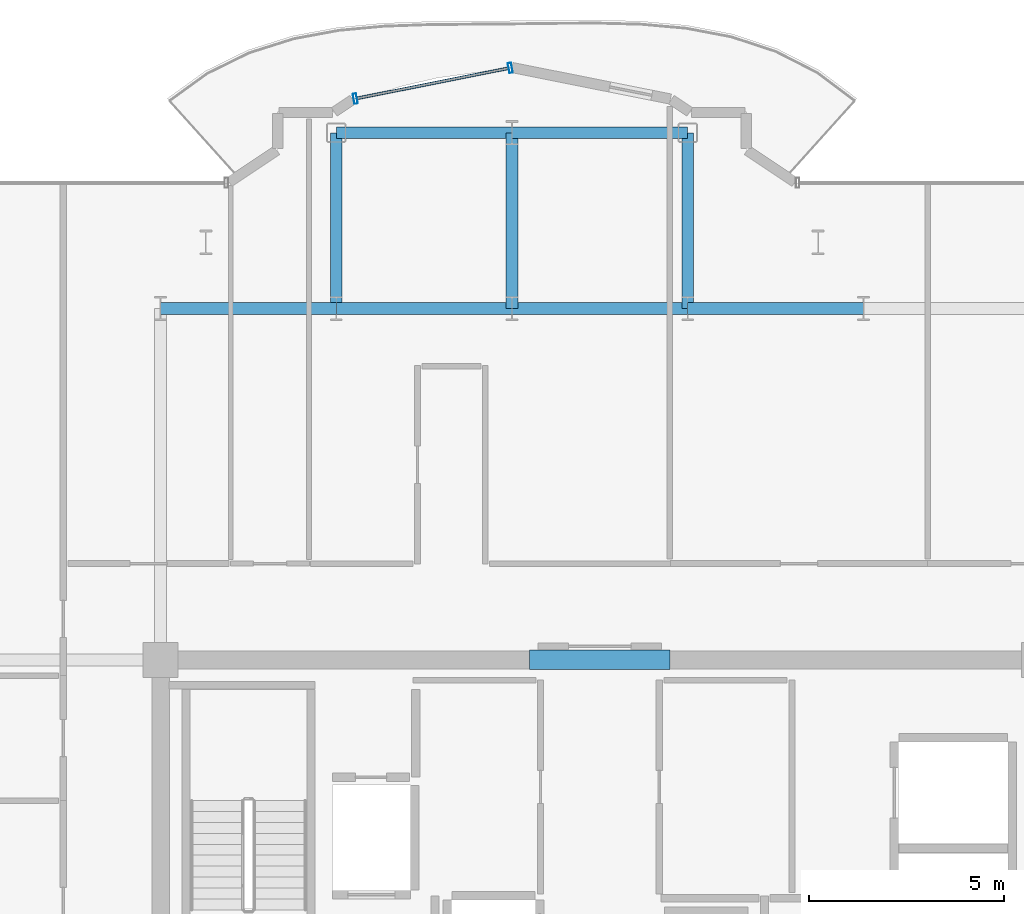
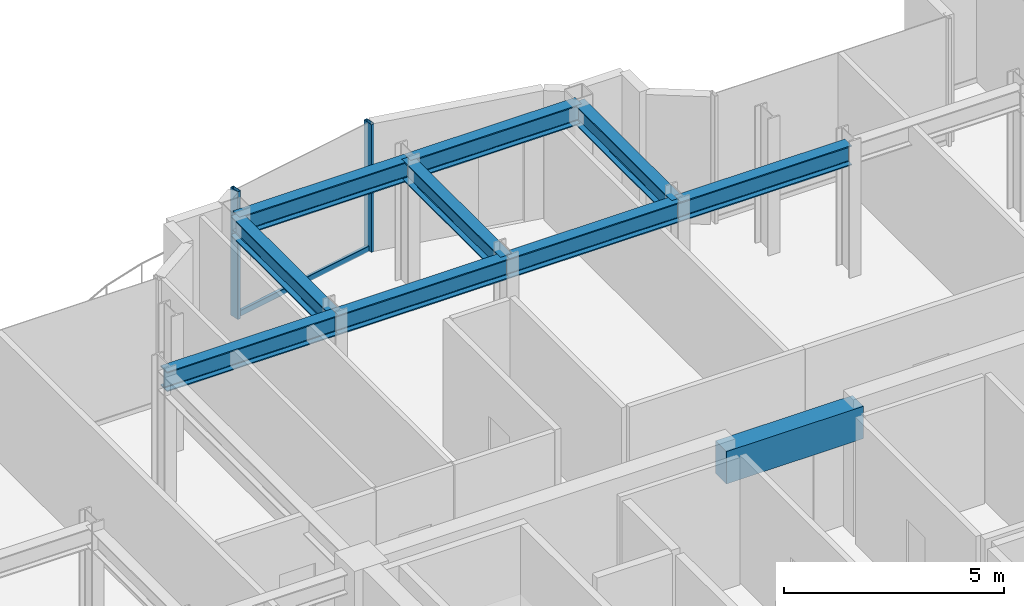
# One storey, part 10 of 18: 10 beams, 3 members, 1 element without a shape of its own.
"""IFC4 building model written with IfcOpenShell, lengths in metres."""

from ifc_helpers import new_model, si_unit, direction, frame, origin, origin_2d, place, context, subcontext, project, spatial, rectangle, hollow_rectangle, i_section, extrude, source, transform, mapped, material, layer, layer_set, material_profile, profile_set, type_object, element, aggregate, save


model = new_model("IFC4")

# Units and contexts
model_context = context("Model", 3, precision=1e-05, world=origin(), true_north=direction((0.0, 1.0)))
body_context = subcontext(model_context, "Body", "Model", "MODEL_VIEW")
ifc_project = project(units=[si_unit("LENGTHUNIT", "METRE"), si_unit("AREAUNIT", "SQUARE_METRE"), si_unit("VOLUMEUNIT", "CUBIC_METRE"), si_unit("PLANEANGLEUNIT", "RADIAN"), si_unit("MASSUNIT", "GRAM", prefix="KILO")], contexts=[model_context])

# Site, building, storey
site_placement = place(None, origin())
site = spatial("IfcSite", under=ifc_project, at=site_placement, CompositionType="ELEMENT")
building_placement = place(site_placement, origin())
building = spatial("IfcBuilding", under=site, at=building_placement, Name="Nefas-Gora Pilgrimage Tower", CompositionType="ELEMENT")
storey_placement = place(building_placement, frame((0.0, 0.0, 306.39990234375)))
storey = spatial("IfcBuildingStorey", under=building, at=storey_placement, Name="L77", CompositionType="ELEMENT", Elevation=306.39990234375)

# Beams
ifc_material_1 = material(Name="Concrete C50/60", Category="concrete")
ifc_material_profile_1 = material_profile(ifc_material_1, rectangle(XDim=0.5, YDim=0.89990234375, at=origin_2d()), Name="RC 500x900")
ifc_profile_set_1 = profile_set([ifc_material_profile_1], Name="Concrete C50/60")
beam_type_1 = type_object("IfcBeamType", Name="BM-LIN-RC900", PredefinedType="LINTEL", material=ifc_profile_set_1)
shared_shape_1 = source(origin(), body_context, "Body", "SweptSolid", [
    extrude(rectangle(XDim=0.5, YDim=0.89990234375, at=origin_2d()), origin(), (0.0, 0.0, 1.0), 3.60009765625),
])
beam_placement = place(storey_placement, frame((-1.800048828125, 9.0, 3.10009765625), z_axis=(1.0, 0.0, 0.0), x_axis=(0.0, 1.0, 0.0)))
element("IfcBeam", 1, at=beam_placement, inside=storey, type_object=beam_type_1, Name="L77 Core Coupling Lintel Beam N", PredefinedType="LINTEL", context=body_context, shape_type="MappedRepresentation", body=[
    mapped(shared_shape_1, transform((0.0, 0.0, 0.0), x_axis=(1.0, 0.0, 0.0), y_axis=(0.0, 1.0, 0.0), z_axis=(0.0, 0.0, 1.0), scale=1.0)),
])
ifc_material_2 = material(Name="Steel S355", Category="steel")
ifc_material_profile_2 = material_profile(ifc_material_2, i_section(OverallWidth=0.300048828125, OverallDepth=0.550048828125, WebThickness=0.014892578125, FlangeThickness=0.029052734375, FilletRadius=0.027099609375, at=origin_2d()), Name="HEB 550")
ifc_profile_set_2 = profile_set([ifc_material_profile_2], Name="Steel S355")
beam_type_2 = type_object("IfcBeamType", Name="BM-GIR-HEB550", PredefinedType="BEAM", material=ifc_profile_set_2)
shared_shape_2 = source(origin(), body_context, "Body", "SweptSolid", [
    extrude(i_section(OverallWidth=0.300048828125, OverallDepth=0.550048828125, WebThickness=0.014892578125, FlangeThickness=0.029052734375, FilletRadius=0.027099609375, at=origin_2d()), origin(), (0.0, 0.0, 1.0), 4.5),
])
for number, where, z_axis, x_axis, name in (
    (2, (-11.25, 18.0, 3.275146484375), (1.0, 0.0, 0.0), (0.0, 1.0, 0.0), "L77 G-05 beam"),
    (3, (-6.75, 18.0, 3.275146484375), (0.0, 1.0, 0.0), (-1.0, 0.0, 0.0), "L77 G-05 beam"),
    (4, (-6.75, 18.0, 3.275146484375), (1.0, 0.0, 0.0), (0.0, 1.0, 0.0), "L77 G-05 beam"),
    (5, (-6.75, 22.5, 3.275146484375), (1.0, 0.0, 0.0), (0.0, 1.0, 0.0), "L77 G-05 beam"),
    (6, (-2.25, 18.0, 3.275146484375), (0.0, 1.0, 0.0), (-1.0, 0.0, 0.0), "L77 G-05 beam"),
    (7, (-2.25, 18.0, 3.275146484375), (1.0, 0.0, 0.0), (0.0, 1.0, 0.0), "L77 G-05 beam"),
    (8, (-2.25, 22.5, 3.275146484375), (1.0, 0.0, 0.0), (0.0, 1.0, 0.0), "L77 G-05 beam"),
    (9, (2.25, 18.0, 3.275146484375), (0.0, 1.0, 0.0), (-1.0, 0.0, 0.0), "L77 G-05 beam"),
    (10, (2.25, 18.0, 3.275146484375), (1.0, 0.0, 0.0), (0.0, 1.0, 0.0), "L77 G-05 beam"),
):
    element("IfcBeam", number, at=place(storey_placement, frame(where, z_axis=z_axis, x_axis=x_axis)), inside=storey, type_object=beam_type_2, Name=name, PredefinedType="BEAM", context=body_context, shape_type="MappedRepresentation", body=[
        mapped(shared_shape_2, transform((0.0, 0.0, 0.0), x_axis=(1.0, 0.0, 0.0), y_axis=(0.0, 1.0, 0.0), z_axis=(0.0, 0.0, 1.0), scale=1.0)),
    ])

# Curtain wall, members
ifc_material_3 = material(Name="Dark ceramic-fritted solar-control aluminium-glass curtain wall", Category="aluminium")
ifc_layer = layer(ifc_material_3, 0.219970703125)
ifc_layer_set = layer_set([ifc_layer], Name="Dark ceramic-fritted solar-control aluminium-glass curtain wall")
curtain_wall_type = type_object("IfcCurtainWallType", Name="CW-SYS-5", PredefinedType="NOTDEFINED", material=ifc_layer_set)
curtain_wall_placement = place(storey_placement, origin())
curtain_wall = element("IfcCurtainWall", 11, at=curtain_wall_placement, inside=storey, type_object=curtain_wall_type, Name="L77 Unitised Curtain Wall CW5", PredefinedType="NOTDEFINED")
ifc_material_4 = material(Name="Anodised architectural aluminium", Category="aluminium")
ifc_material_profile_3 = material_profile(ifc_material_4, hollow_rectangle(XDim=0.090087890625, YDim=0.260009765625, WallThickness=0.006103515625, InnerFilletRadius=0.006103515625, OuterFilletRadius=0.011962890625, at=origin_2d()), Name="ALU MULLION 90x260")
ifc_profile_set_3 = profile_set([ifc_material_profile_3], Name="Anodised architectural aluminium")
member_type_1 = type_object("IfcMemberType", Name="CWM-MUL-5", PredefinedType="MULLION", material=ifc_profile_set_3)
shared_shape_3 = source(origin(), body_context, "Body", "SweptSolid", [
    extrude(hollow_rectangle(XDim=0.090087890625, YDim=0.260009765625, WallThickness=0.006103515625, InnerFilletRadius=0.006103515625, OuterFilletRadius=0.011962890625, at=origin_2d()), origin(), (0.0, 0.0, 1.0), 3.550048828125),
])
member_1_placement = place(storey_placement, frame((-2.294189453125, 24.16357421875, 0.0), z_axis=(0.0, 0.0, 1.0), x_axis=(-0.980782896852, -0.195102304554, 0.0)))
member_1 = element("IfcMember", 12, at=member_1_placement, type_object=member_type_1, Name="CW5 Mullion 1", PredefinedType="MULLION", context=body_context, shape_type="MappedRepresentation", body=[
    mapped(shared_shape_3, transform((0.0, 0.0, 0.0), x_axis=(1.0, 0.0, 0.0), y_axis=(0.0, 1.0, 0.0), z_axis=(0.0, 0.0, 1.0), scale=1.0)),
])
member_2_placement = place(storey_placement, frame((-6.26318359375, 23.3740234375, 0.0), z_axis=(0.0, 0.0, 1.0), x_axis=(-0.980782896852, -0.195102304554, 0.0)))
member_2 = element("IfcMember", 13, at=member_2_placement, type_object=member_type_1, Name="CW5 Mullion 2", PredefinedType="MULLION", context=body_context, shape_type="MappedRepresentation", body=[
    mapped(shared_shape_3, transform((0.0, 0.0, 0.0), x_axis=(1.0, 0.0, 0.0), y_axis=(0.0, 1.0, 0.0), z_axis=(0.0, 0.0, 1.0), scale=1.0)),
])
ifc_material_profile_4 = material_profile(ifc_material_4, hollow_rectangle(XDim=0.080078125, YDim=0.159912109375, WallThickness=0.00439453125, InnerFilletRadius=0.00439453125, OuterFilletRadius=0.009033203125, at=origin_2d()), Name="ALU TRANSOM 80x160")
ifc_profile_set_4 = profile_set([ifc_material_profile_4], Name="Anodised architectural aluminium")
member_type_2 = type_object("IfcMemberType", Name="CWM-TRN-5", PredefinedType="USERDEFINED", material=ifc_profile_set_4)
shared_shape_4 = source(origin(), body_context, "Body", "SweptSolid", [
    extrude(hollow_rectangle(XDim=0.080078125, YDim=0.159912109375, WallThickness=0.00439453125, InnerFilletRadius=0.00439453125, OuterFilletRadius=0.009033203125, at=origin_2d()), origin(), (0.0, 0.0, 1.0), 3.95654296875),
])
member_3_placement = place(storey_placement, frame((-2.33837890625, 24.15478515625, 0.050048828125), z_axis=(-0.980781880918, -0.195107411605, 0.0), x_axis=(0.195107411605, -0.980781880918, 0.0)))
member_3 = element("IfcMember", 14, at=member_3_placement, type_object=member_type_2, Name="CW5 Spandrel Transom", ObjectType="TRANSOM", PredefinedType="USERDEFINED", context=body_context, shape_type="MappedRepresentation", body=[
    mapped(shared_shape_4, transform((0.0, 0.0, 0.0), x_axis=(1.0, 0.0, 0.0), y_axis=(0.0, 1.0, 0.0), z_axis=(0.0, 0.0, 1.0), scale=1.0)),
])
aggregate(curtain_wall, [member_1, member_2, member_3])

save(model, "model.ifc")
